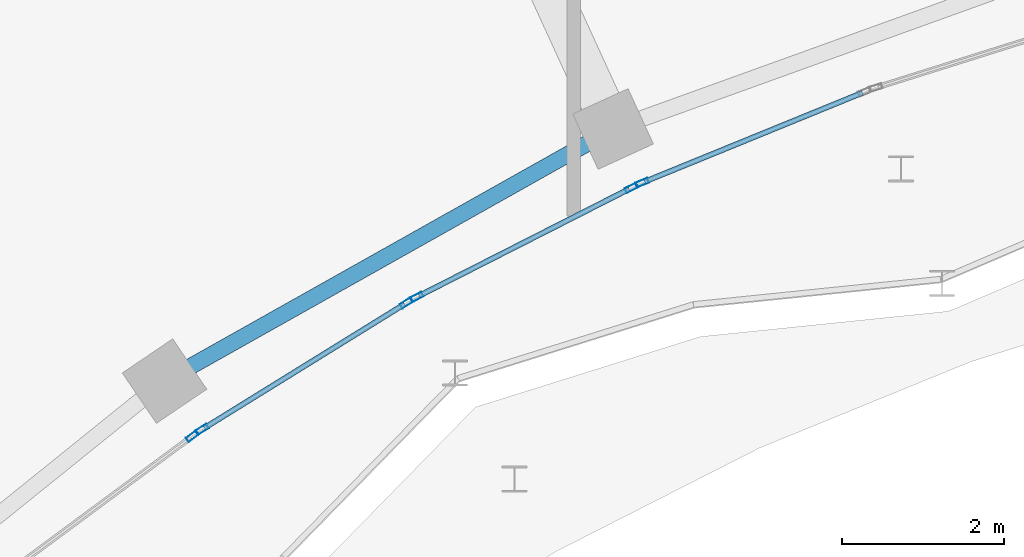
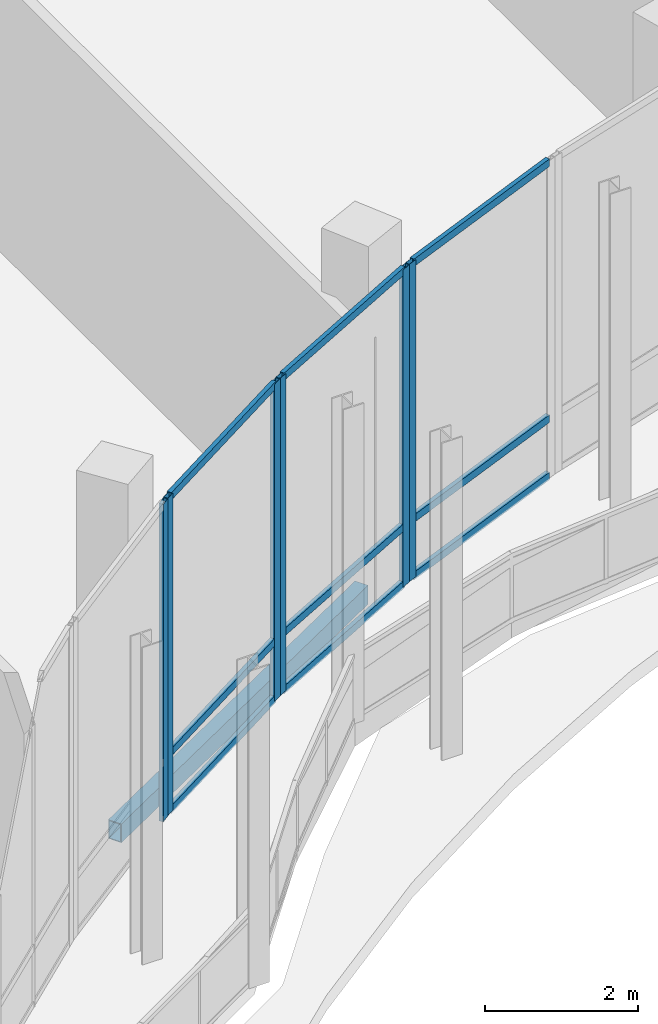
# One storey, part 62 of 158: 15 members, 1 beam, 4 elements without a shape of their own.
"""IFC4 building model written with IfcOpenShell, lengths in metres."""

from ifc_helpers import new_model, si_unit, direction, frame, origin, origin_2d, place, context, subcontext, project, spatial, hollow_rectangle, extrude, material, material_profile, profile_set, type_object, element, aggregate, save


model = new_model("IFC4")

# Units and contexts
model_context = context("Model", 3, precision=1e-05, world=origin(), true_north=direction((0.0, 1.0)))
body_context = subcontext(model_context, "Body", "Model", "MODEL_VIEW")
ifc_project = project(units=[si_unit("LENGTHUNIT", "METRE"), si_unit("AREAUNIT", "SQUARE_METRE"), si_unit("VOLUMEUNIT", "CUBIC_METRE"), si_unit("PLANEANGLEUNIT", "RADIAN"), si_unit("MASSUNIT", "GRAM", prefix="KILO")], contexts=[model_context])

# Site, building, storey
site_placement = place(None, origin())
site = spatial("IfcSite", under=ifc_project, at=site_placement, CompositionType="ELEMENT")
building_placement = place(site_placement, origin())
building = spatial("IfcBuilding", under=site, at=building_placement, Name="Selatvlak General Hospital", CompositionType="ELEMENT")
storey_placement = place(building_placement, origin())
storey = spatial("IfcBuildingStorey", under=building, at=storey_placement, Name="L00", CompositionType="ELEMENT", Elevation=0.0)

# Beam
ifc_material_1 = material(Name="Steel S355", Category="steel")
ifc_material_profile_1 = material_profile(ifc_material_1, hollow_rectangle(XDim=0.199951171875, YDim=0.300048828125, WallThickness=0.011962890625, at=origin_2d()), Name="RHS 300x200x12")
ifc_profile_set_1 = profile_set([ifc_material_profile_1], Name="Steel S355")
beam_type = type_object("IfcBeamType", Name="BM-SP3", PredefinedType="SPANDREL", material=ifc_profile_set_1)
beam_placement = place(storey_placement, frame((118.552978515625, 48.172119140625, -0.5), z_axis=(0.871730663488, 0.489985357266, 0.0), x_axis=(-0.489985357266, 0.871730663488, 0.0)))
element("IfcBeam", 1, at=beam_placement, inside=storey, type_object=beam_type, Name="Beam BMR-L00-0379", PredefinedType="SPANDREL", context=body_context, shape_type="SweptSolid", body=[
    extrude(hollow_rectangle(XDim=0.199951171875, YDim=0.300048828125, WallThickness=0.011962890625, at=origin_2d()), origin(), (0.0, 0.0, 1.0), 6.344970703125),
])

# Curtain wall, member
ifc_material_2 = material(Name="Solar-control Low-E double glazing", Category="glass")
curtain_wall_type_1 = type_object("IfcCurtainWallType", Name="CW-CW-02", PredefinedType="USERDEFINED", material=ifc_material_2)
curtain_wall_1_placement = place(storey_placement, origin())
curtain_wall_1 = element("IfcCurtainWall", 2, at=curtain_wall_1_placement, inside=storey, type_object=curtain_wall_type_1, Name="Glazed facade curtain wall CW-L00-0036", ObjectType="UNITISED CURTAIN WALL", PredefinedType="USERDEFINED")
ifc_material_3 = material(Name="Dark anodised aluminium mullion", Category="aluminium")
ifc_material_profile_2 = material_profile(ifc_material_3, hollow_rectangle(XDim=0.06494140625, YDim=0.159912109375, WallThickness=0.00390625, at=origin_2d()), Name="AL-MUL 65x160x4")
ifc_profile_set_2 = profile_set([ifc_material_profile_2], Name="Dark anodised aluminium mullion")
member_type_1 = type_object("IfcMemberType", Name="CWM-01", PredefinedType="MULLION", material=ifc_profile_set_2)
member_1_placement = place(storey_placement, frame((124.442138671875, 50.6181640625, 0.0), z_axis=(0.0, 0.0, 1.0), x_axis=(0.377977773903, -0.925814669594, 0.0)))
member_1 = element("IfcMember", 3, at=member_1_placement, type_object=member_type_1, Name="CW-02 mullion 2", PredefinedType="MULLION", context=body_context, shape_type="SweptSolid", body=[
    extrude(hollow_rectangle(XDim=0.06494140625, YDim=0.159912109375, WallThickness=0.00390625, at=origin_2d()), origin(), (0.0, 0.0, 1.0), 5.080078125),
])

# Curtain wall, members
curtain_wall_type_2 = type_object("IfcCurtainWallType", Name="CW-CW-01", PredefinedType="USERDEFINED", material=ifc_material_2)
curtain_wall_2_placement = place(storey_placement, origin())
curtain_wall_2 = element("IfcCurtainWall", 4, at=curtain_wall_2_placement, inside=storey, type_object=curtain_wall_type_2, Name="Glazed facade curtain wall CW-L00-0037", ObjectType="UNITISED CURTAIN WALL", PredefinedType="USERDEFINED")
member_2_placement = place(storey_placement, frame((124.31103515625, 50.55517578125, 0.0), z_axis=(0.0, 0.0, 1.0), x_axis=(0.453135718509, -0.89144154077, 0.0)))
member_2 = element("IfcMember", 5, at=member_2_placement, type_object=member_type_1, Name="CW-01 mullion 1", PredefinedType="MULLION", context=body_context, shape_type="SweptSolid", body=[
    extrude(hollow_rectangle(XDim=0.06494140625, YDim=0.159912109375, WallThickness=0.00390625, at=origin_2d()), origin(), (0.0, 0.0, 1.0), 5.080078125),
])
member_3_placement = place(storey_placement, frame((121.6640625, 49.209716796875, 0.0), z_axis=(0.0, 0.0, 1.0), x_axis=(0.453135718509, -0.89144154077, 0.0)))
member_3 = element("IfcMember", 6, at=member_3_placement, type_object=member_type_1, Name="CW-01 mullion 2", PredefinedType="MULLION", context=body_context, shape_type="SweptSolid", body=[
    extrude(hollow_rectangle(XDim=0.06494140625, YDim=0.159912109375, WallThickness=0.00390625, at=origin_2d()), origin(), (0.0, 0.0, 1.0), 5.080078125),
])

curtain_wall_3_placement = place(storey_placement, origin())
curtain_wall_3 = element("IfcCurtainWall", 7, at=curtain_wall_3_placement, inside=storey, type_object=curtain_wall_type_1, Name="Glazed facade curtain wall CW-L00-0038", ObjectType="UNITISED CURTAIN WALL", PredefinedType="USERDEFINED")
member_4_placement = place(storey_placement, frame((121.538330078125, 49.136962890625, 0.0), z_axis=(0.0, 0.0, 1.0), x_axis=(0.526047826435, -0.850454986641, 0.0)))
member_4 = element("IfcMember", 8, at=member_4_placement, type_object=member_type_1, Name="CW-02 mullion 1", PredefinedType="MULLION", context=body_context, shape_type="SweptSolid", body=[
    extrude(hollow_rectangle(XDim=0.06494140625, YDim=0.159912109375, WallThickness=0.00390625, at=origin_2d()), origin(), (0.0, 0.0, 1.0), 5.080078125),
])
member_5_placement = place(storey_placement, frame((119.0166015625, 47.5771484375, 0.0), z_axis=(0.0, 0.0, 1.0), x_axis=(0.526047826435, -0.850454986641, 0.0)))
member_5 = element("IfcMember", 9, at=member_5_placement, type_object=member_type_1, Name="CW-02 mullion 2", PredefinedType="MULLION", context=body_context, shape_type="SweptSolid", body=[
    extrude(hollow_rectangle(XDim=0.06494140625, YDim=0.159912109375, WallThickness=0.00390625, at=origin_2d()), origin(), (0.0, 0.0, 1.0), 5.080078125),
])

# Curtain wall, member
curtain_wall_4_placement = place(storey_placement, origin())
curtain_wall_4 = element("IfcCurtainWall", 10, at=curtain_wall_4_placement, inside=storey, type_object=curtain_wall_type_2, Name="Glazed facade curtain wall CW-L00-0039", ObjectType="UNITISED CURTAIN WALL", PredefinedType="USERDEFINED")
member_6_placement = place(storey_placement, frame((118.89794921875, 47.49365234375, 0.0), z_axis=(0.0, 0.0, 1.0), x_axis=(0.594604312607, -0.804018477045, 0.0)))
member_6 = element("IfcMember", 11, at=member_6_placement, type_object=member_type_1, Name="CW-01 mullion 1", PredefinedType="MULLION", context=body_context, shape_type="SweptSolid", body=[
    extrude(hollow_rectangle(XDim=0.06494140625, YDim=0.159912109375, WallThickness=0.00390625, at=origin_2d()), origin(), (0.0, 0.0, 1.0), 5.080078125),
])
aggregate(curtain_wall_4, [member_6])

# Member
ifc_material_profile_3 = material_profile(ifc_material_3, hollow_rectangle(XDim=0.06494140625, YDim=0.1201171875, WallThickness=0.00390625, at=origin_2d()), Name="AL-TRN 65x120x4")
ifc_profile_set_3 = profile_set([ifc_material_profile_3], Name="Dark anodised aluminium mullion")
member_type_2 = type_object("IfcMemberType", Name="CWT-01", PredefinedType="USERDEFINED", material=ifc_profile_set_3)
member_7_placement = place(storey_placement, frame((127.158935546875, 51.7275390625, 0.032470703125), z_axis=(-0.925813400573, -0.377980882215, 0.0), x_axis=(0.377980882215, -0.925813400573, 0.0)))
member_7 = element("IfcMember", 12, at=member_7_placement, type_object=member_type_2, Name="CW-02 transom 1.1", ObjectType="TRANSOM", PredefinedType="USERDEFINED", context=body_context, shape_type="SweptSolid", body=[
    extrude(hollow_rectangle(XDim=0.06494140625, YDim=0.1201171875, WallThickness=0.00390625, at=origin_2d()), origin(), (0.0, 0.0, 1.0), 2.902099609375),
])

member_8_placement = place(storey_placement, frame((127.158935546875, 51.7275390625, 0.949951171875), z_axis=(-0.925813400573, -0.377980882215, 0.0), x_axis=(0.377980882215, -0.925813400573, 0.0)))
member_8 = element("IfcMember", 13, at=member_8_placement, type_object=member_type_2, Name="CW-02 transom 1.2", ObjectType="TRANSOM", PredefinedType="USERDEFINED", context=body_context, shape_type="SweptSolid", body=[
    extrude(hollow_rectangle(XDim=0.06494140625, YDim=0.1201171875, WallThickness=0.00390625, at=origin_2d()), origin(), (0.0, 0.0, 1.0), 2.902099609375),
])

member_9_placement = place(storey_placement, frame((127.158935546875, 51.7275390625, 5.047607421875), z_axis=(-0.925813400573, -0.377980882215, 0.0), x_axis=(0.377980882215, -0.925813400573, 0.0)))
member_9 = element("IfcMember", 14, at=member_9_placement, type_object=member_type_2, Name="CW-02 transom 1.3", ObjectType="TRANSOM", PredefinedType="USERDEFINED", context=body_context, shape_type="SweptSolid", body=[
    extrude(hollow_rectangle(XDim=0.06494140625, YDim=0.1201171875, WallThickness=0.00390625, at=origin_2d()), origin(), (0.0, 0.0, 1.0), 2.902099609375),
])

aggregate(curtain_wall_1, [member_1, member_7, member_8, member_9])

member_10_placement = place(storey_placement, frame((124.281982421875, 50.54052734375, 0.032470703125), z_axis=(-0.891431749589, -0.453154979918, 0.0), x_axis=(0.453154979918, -0.891431749589, 0.0)))
member_10 = element("IfcMember", 15, at=member_10_placement, type_object=member_type_2, Name="CW-01 transom 1.1", ObjectType="TRANSOM", PredefinedType="USERDEFINED", context=body_context, shape_type="SweptSolid", body=[
    extrude(hollow_rectangle(XDim=0.06494140625, YDim=0.1201171875, WallThickness=0.00390625, at=origin_2d()), origin(), (0.0, 0.0, 1.0), 2.904541015625),
])

member_11_placement = place(storey_placement, frame((124.281982421875, 50.54052734375, 0.949951171875), z_axis=(-0.891431749589, -0.453154979918, 0.0), x_axis=(0.453154979918, -0.891431749589, 0.0)))
member_11 = element("IfcMember", 16, at=member_11_placement, type_object=member_type_2, Name="CW-01 transom 1.2", ObjectType="TRANSOM", PredefinedType="USERDEFINED", context=body_context, shape_type="SweptSolid", body=[
    extrude(hollow_rectangle(XDim=0.06494140625, YDim=0.1201171875, WallThickness=0.00390625, at=origin_2d()), origin(), (0.0, 0.0, 1.0), 2.904541015625),
])

member_12_placement = place(storey_placement, frame((124.281982421875, 50.54052734375, 5.047607421875), z_axis=(-0.891431749589, -0.453154979918, 0.0), x_axis=(0.453154979918, -0.891431749589, 0.0)))
member_12 = element("IfcMember", 17, at=member_12_placement, type_object=member_type_2, Name="CW-01 transom 1.3", ObjectType="TRANSOM", PredefinedType="USERDEFINED", context=body_context, shape_type="SweptSolid", body=[
    extrude(hollow_rectangle(XDim=0.06494140625, YDim=0.1201171875, WallThickness=0.00390625, at=origin_2d()), origin(), (0.0, 0.0, 1.0), 2.904541015625),
])

aggregate(curtain_wall_2, [member_2, member_3, member_10, member_11, member_12])

member_13_placement = place(storey_placement, frame((121.5107421875, 49.119873046875, 0.032470703125), z_axis=(-0.850462425048, -0.526035800666, 0.0), x_axis=(0.526035800666, -0.850462425048, 0.0)))
member_13 = element("IfcMember", 18, at=member_13_placement, type_object=member_type_2, Name="CW-02 transom 1.1", ObjectType="TRANSOM", PredefinedType="USERDEFINED", context=body_context, shape_type="SweptSolid", body=[
    extrude(hollow_rectangle(XDim=0.06494140625, YDim=0.1201171875, WallThickness=0.00390625, at=origin_2d()), origin(), (0.0, 0.0, 1.0), 2.900146484375),
])

member_14_placement = place(storey_placement, frame((121.5107421875, 49.119873046875, 0.949951171875), z_axis=(-0.850462425048, -0.526035800666, 0.0), x_axis=(0.526035800666, -0.850462425048, 0.0)))
member_14 = element("IfcMember", 19, at=member_14_placement, type_object=member_type_2, Name="CW-02 transom 1.2", ObjectType="TRANSOM", PredefinedType="USERDEFINED", context=body_context, shape_type="SweptSolid", body=[
    extrude(hollow_rectangle(XDim=0.06494140625, YDim=0.1201171875, WallThickness=0.00390625, at=origin_2d()), origin(), (0.0, 0.0, 1.0), 2.900146484375),
])

member_15_placement = place(storey_placement, frame((121.5107421875, 49.119873046875, 5.047607421875), z_axis=(-0.850462425048, -0.526035800666, 0.0), x_axis=(0.526035800666, -0.850462425048, 0.0)))
member_15 = element("IfcMember", 20, at=member_15_placement, type_object=member_type_2, Name="CW-02 transom 1.3", ObjectType="TRANSOM", PredefinedType="USERDEFINED", context=body_context, shape_type="SweptSolid", body=[
    extrude(hollow_rectangle(XDim=0.06494140625, YDim=0.1201171875, WallThickness=0.00390625, at=origin_2d()), origin(), (0.0, 0.0, 1.0), 2.900146484375),
])

aggregate(curtain_wall_3, [member_4, member_5, member_13, member_14, member_15])

save(model, "model.ifc")
